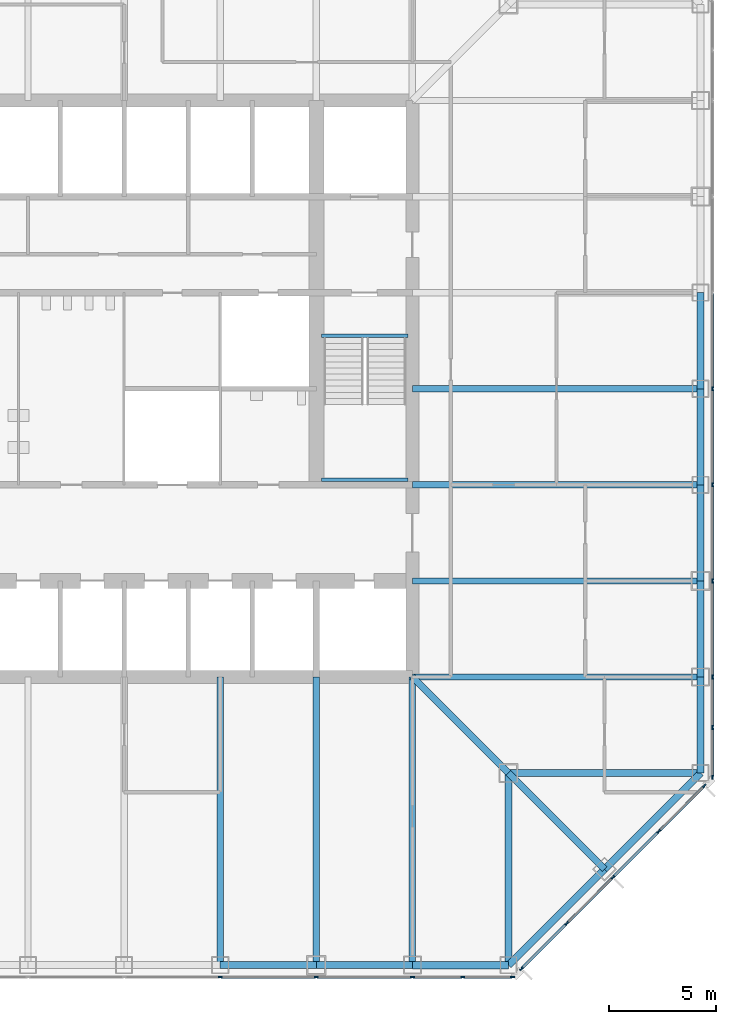
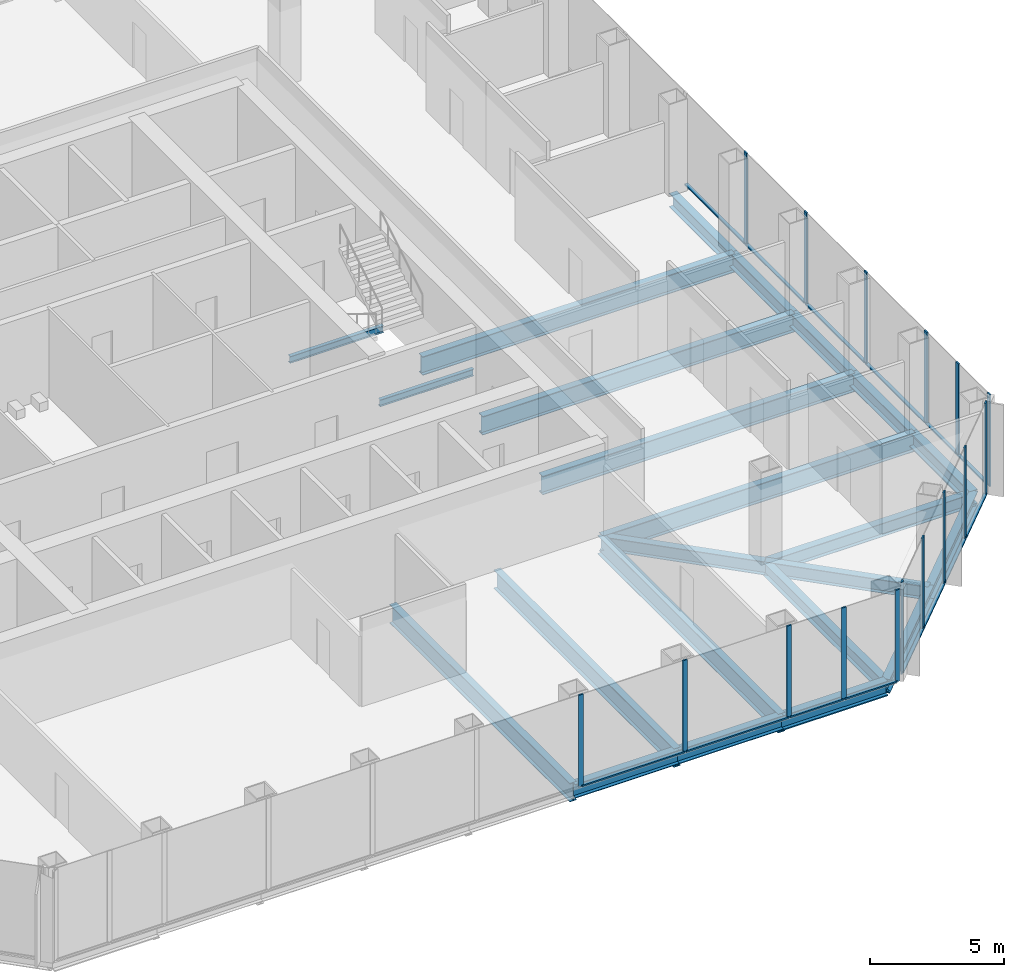
# One storey, part 4 of 12: 30 members, 23 beams, 3 elements without a shape of their own.
"""IFC4 building model written with IfcOpenShell, lengths in metres."""

from ifc_helpers import new_model, si_unit, direction, frame, origin, origin_2d, place, context, subcontext, project, spatial, rectangle, i_section, extrude, material, material_profile, profile_set, type_object, element, aggregate, save


model = new_model("IFC4")

# Units and contexts
model_context = context("Model", 3, precision=1e-05, world=origin(), true_north=direction((0.0, 1.0)))
body_context = subcontext(model_context, "Body", "Model", "MODEL_VIEW")
ifc_project = project(units=[si_unit("LENGTHUNIT", "METRE"), si_unit("AREAUNIT", "SQUARE_METRE"), si_unit("VOLUMEUNIT", "CUBIC_METRE"), si_unit("PLANEANGLEUNIT", "RADIAN"), si_unit("MASSUNIT", "GRAM", prefix="KILO")], contexts=[model_context])

# Site, building, storey
site_placement = place(None, origin())
site = spatial("IfcSite", under=ifc_project, at=site_placement, CompositionType="ELEMENT")
building_placement = place(site_placement, origin())
building = spatial("IfcBuilding", under=site, at=building_placement, Name="Corais Broadcast Tower", CompositionType="ELEMENT")
storey_placement = place(building_placement, frame((0.0, 0.0, 71.0)))
storey = spatial("IfcBuildingStorey", under=building, at=storey_placement, Name="L15", CompositionType="ELEMENT", Elevation=71.0)

# Beams
ifc_material_1 = material(Name="Steel ASTM A572 Grade 50", Category="steel")
ifc_material_profile_1 = material_profile(ifc_material_1, i_section(OverallWidth=0.323974609375, OverallDepth=0.611083984375, WebThickness=0.0126953125, FlangeThickness=0.01904296875, at=origin_2d()), Name="W610x155")
ifc_profile_set_1 = profile_set([ifc_material_profile_1], Name="Steel ASTM A572 Grade 50")
beam_type_1 = type_object("IfcBeamType", Name="Chamfer tie W610x155", PredefinedType="BEAM", material=ifc_profile_set_1)
beam_1_placement = place(storey_placement, frame((49.5, 4.5, -0.465576171875), z_axis=(-0.707106781187, 0.707106781187, 0.0), x_axis=(-0.707106781187, -0.707106781187, 0.0)))
element("IfcBeam", 1, at=beam_1_placement, inside=storey, type_object=beam_type_1, Name="B5 B/14 to C/13", PredefinedType="BEAM", context=body_context, shape_type="SweptSolid", body=[
    extrude(i_section(OverallWidth=0.323974609375, OverallDepth=0.611083984375, WebThickness=0.0126953125, FlangeThickness=0.01904296875, at=origin_2d()), origin(), (0.0, 0.0, 1.0), 6.364013671875),
])
ifc_material_2 = material(Name="Steel ASTM A572 Grade 50", Category="steel")
ifc_material_profile_2 = material_profile(ifc_material_2, i_section(OverallWidth=0.323974609375, OverallDepth=0.611083984375, WebThickness=0.0126953125, FlangeThickness=0.01904296875, at=origin_2d()), Name="W610x155")
ifc_profile_set_2 = profile_set([ifc_material_profile_2], Name="Steel ASTM A572 Grade 50")
beam_type_2 = type_object("IfcBeamType", Name="Corner diagonal W610x155", PredefinedType="BEAM", material=ifc_profile_set_2)
beam_2_placement = place(storey_placement, frame((45.0, 9.0, -0.465576171875), z_axis=(-0.707106781187, 0.707106781187, 0.0), x_axis=(-0.707106781187, -0.707106781187, 0.0)))
element("IfcBeam", 2, at=beam_2_placement, inside=storey, type_object=beam_type_2, Name="B6 C/13 to D/12", PredefinedType="BEAM", context=body_context, shape_type="SweptSolid", body=[
    extrude(i_section(OverallWidth=0.323974609375, OverallDepth=0.611083984375, WebThickness=0.0126953125, FlangeThickness=0.01904296875, at=origin_2d()), origin(), (0.0, 0.0, 1.0), 6.364013671875),
])
ifc_material_3 = material(Name="Steel ASTM A572 Grade 50", Category="steel")
ifc_material_profile_3 = material_profile(ifc_material_3, i_section(OverallWidth=0.323974609375, OverallDepth=0.611083984375, WebThickness=0.0126953125, FlangeThickness=0.01904296875, at=origin_2d()), Name="W610x155")
ifc_profile_set_3 = profile_set([ifc_material_profile_3], Name="Steel ASTM A572 Grade 50")
beam_type_3 = type_object("IfcBeamType", Name="Corner girder W610x155", PredefinedType="BEAM", material=ifc_profile_set_3)
for number, where, z_axis, x_axis, name in (
    (3, (45.0, 0.0, -0.465576171875), (0.0, 1.0, 0.0), (-1.0, 0.0, 0.0), "B4 A/13 to C/13"),
    (4, (54.0, 9.0, -0.465576171875), (-1.0, 0.0, 0.0), (0.0, -1.0, 0.0), "B4 C/15 to C/13"),
):
    element("IfcBeam", number, at=place(storey_placement, frame(where, z_axis=z_axis, x_axis=x_axis)), inside=storey, type_object=beam_type_3, Name=name, PredefinedType="BEAM", context=body_context, shape_type="SweptSolid", body=[
        extrude(i_section(OverallWidth=0.323974609375, OverallDepth=0.611083984375, WebThickness=0.0126953125, FlangeThickness=0.01904296875, at=origin_2d()), origin(), (0.0, 0.0, 1.0), 9.0),
    ])
ifc_material_4 = material(Name="Steel ASTM A572 Grade 50", Category="steel")
ifc_material_profile_4 = material_profile(ifc_material_4, i_section(OverallWidth=0.337890625, OverallDepth=0.677978515625, WebThickness=0.029541015625, FlangeThickness=0.052978515625, at=origin_2d()), Name="W610x415")
ifc_profile_set_4 = profile_set([ifc_material_profile_4], Name="Steel ASTM A572 Grade 50")
beam_type_4 = type_object("IfcBeamType", Name="Corner spandrel W610x415", PredefinedType="BEAM", material=ifc_profile_set_4)
for number, where, z_axis, x_axis, name in (
    (5, (40.5, 0.0, -0.4990234375), (1.0, 0.0, 0.0), (0.0, 1.0, 0.0), "SB10 A/12 to A/13"),
    (6, (54.0, 9.0, -0.4990234375), (0.0, 1.0, 0.0), (-1.0, 0.0, 0.0), "SB10 C/15 to D/15"),
):
    element("IfcBeam", number, at=place(storey_placement, frame(where, z_axis=z_axis, x_axis=x_axis)), inside=storey, type_object=beam_type_4, Name=name, PredefinedType="BEAM", context=body_context, shape_type="SweptSolid", body=[
        extrude(i_section(OverallWidth=0.337890625, OverallDepth=0.677978515625, WebThickness=0.029541015625, FlangeThickness=0.052978515625, at=origin_2d()), origin(), (0.0, 0.0, 1.0), 4.5),
    ])
ifc_material_5 = material(Name="Steel ASTM A572 Grade 50", Category="steel")
ifc_material_profile_5 = material_profile(ifc_material_5, i_section(OverallWidth=0.2939453125, OverallDepth=0.85107421875, WebThickness=0.01611328125, FlangeThickness=0.02685546875, at=origin_2d()), Name="W840x226")
ifc_profile_set_5 = profile_set([ifc_material_profile_5], Name="Steel ASTM A572 Grade 50")
beam_type_5 = type_object("IfcBeamType", Name="Floor beam W840x226", PredefinedType="BEAM", material=ifc_profile_set_5)
for number, where, z_axis, x_axis, name in (
    (7, (31.5, 0.0, -0.58544921875), (0.0, 1.0, 0.0), (-1.0, 0.0, 0.0), "B1 A/10 to D/10"),
    (8, (36.0, 0.0, -0.58544921875), (0.0, 1.0, 0.0), (-1.0, 0.0, 0.0), "B1 A/11 to D/11"),
    (9, (40.5, 0.0, -0.58544921875), (0.0, 1.0, 0.0), (-1.0, 0.0, 0.0), "B1 A/12 to D/12"),
    (10, (54.0, 13.5, -0.58544921875), (-1.0, 0.0, 0.0), (0.0, -1.0, 0.0), "B1 D/15 to D/12"),
    (11, (54.0, 18.0, -0.58544921875), (-1.0, 0.0, 0.0), (0.0, -1.0, 0.0), "B1 E/15 to E/12"),
    (12, (54.0, 22.5, -0.58544921875), (-1.0, 0.0, 0.0), (0.0, -1.0, 0.0), "B1 F/15 to F/12"),
    (13, (54.0, 27.0, -0.58544921875), (-1.0, 0.0, 0.0), (0.0, -1.0, 0.0), "B1 G/15 to G/12"),
):
    element("IfcBeam", number, at=place(storey_placement, frame(where, z_axis=z_axis, x_axis=x_axis)), inside=storey, type_object=beam_type_5, Name=name, PredefinedType="BEAM", context=body_context, shape_type="SweptSolid", body=[
        extrude(i_section(OverallWidth=0.2939453125, OverallDepth=0.85107421875, WebThickness=0.01611328125, FlangeThickness=0.02685546875, at=origin_2d()), origin(), (0.0, 0.0, 1.0), 13.5),
    ])
ifc_material_6 = material(Name="Steel ASTM A572 Grade 50", Category="steel")
ifc_material_profile_6 = material_profile(ifc_material_6, i_section(OverallWidth=0.1650390625, OverallDepth=0.31005859375, WebThickness=0.005859375, FlangeThickness=0.009765625, at=origin_2d()), Name="W310x38.7")
ifc_profile_set_6 = profile_set([ifc_material_profile_6], Name="Steel ASTM A572 Grade 50")
beam_type_6 = type_object("IfcBeamType", Name="Landing trimmer W310x38.7", PredefinedType="BEAM", material=ifc_profile_set_6)
for number, where, z_axis, x_axis, name in (
    (14, (36.25, 29.47509765625, -0.35498046875), (1.0, 0.0, 0.0), (0.0, 1.0, 0.0), "LT1 stair B landing trimmer L15"),
    (15, (36.25, 22.739990234375, 1.7451171875), (1.0, 0.0, 0.0), (0.0, 1.0, 0.0), "LT1 stair B half landing trimmer L15"),
):
    element("IfcBeam", number, at=place(storey_placement, frame(where, z_axis=z_axis, x_axis=x_axis)), inside=storey, type_object=beam_type_6, Name=name, PredefinedType="BEAM", context=body_context, shape_type="SweptSolid", body=[
        extrude(i_section(OverallWidth=0.1650390625, OverallDepth=0.31005859375, WebThickness=0.005859375, FlangeThickness=0.009765625, at=origin_2d()), origin(), (0.0, 0.0, 1.0), 4.050048828125),
    ])

# Curtain wall, members
ifc_material_7 = material(Name="Aluminium and glass", Category="aluminium")
curtain_wall_type = type_object("IfcCurtainWallType", Name="Unitised fritted curtain wall CW1", PredefinedType="NOTDEFINED", material=ifc_material_7)
curtain_wall_1_placement = place(storey_placement, origin())
curtain_wall_1 = element("IfcCurtainWall", 16, at=curtain_wall_1_placement, inside=storey, type_object=curtain_wall_type, Name="CW1 curtain wall L15 6", PredefinedType="NOTDEFINED")
ifc_material_8 = material(Name="Aluminium 6063-T6", Category="aluminium")
ifc_material_profile_7 = material_profile(ifc_material_8, rectangle(XDim=0.06494140625, YDim=0.199951171875, at=origin_2d()), Name="Mullion CW1 65x200")
ifc_profile_set_7 = profile_set([ifc_material_profile_7], Name="Aluminium 6063-T6")
member_type_1 = type_object("IfcMemberType", Name="Mullion CW1 65x200", PredefinedType="MULLION", material=ifc_profile_set_7)
member_1_placement = place(storey_placement, frame((54.550048828125, 27.0, 0.0), z_axis=(0.0, 0.0, 1.0), x_axis=(1.0, 0.0, 0.0)))
member_1 = element("IfcMember", 17, at=member_1_placement, type_object=member_type_1, Name="CW1 mullion 6", PredefinedType="MULLION", context=body_context, shape_type="SweptSolid", body=[
    extrude(rectangle(XDim=0.06494140625, YDim=0.199951171875, at=origin_2d()), origin(), (0.0, 0.0, 1.0), 4.199951171875),
])
member_2_placement = place(storey_placement, frame((54.550048828125, 22.5, 0.0), z_axis=(0.0, 0.0, 1.0), x_axis=(1.0, 0.0, 0.0)))
member_2 = element("IfcMember", 18, at=member_2_placement, type_object=member_type_1, Name="CW1 mullion 7", PredefinedType="MULLION", context=body_context, shape_type="SweptSolid", body=[
    extrude(rectangle(XDim=0.06494140625, YDim=0.199951171875, at=origin_2d()), origin(), (0.0, 0.0, 1.0), 4.199951171875),
])
member_3_placement = place(storey_placement, frame((54.550048828125, 18.0, 0.0), z_axis=(0.0, 0.0, 1.0), x_axis=(1.0, 0.0, 0.0)))
member_3 = element("IfcMember", 19, at=member_3_placement, type_object=member_type_1, Name="CW1 mullion 8", PredefinedType="MULLION", context=body_context, shape_type="SweptSolid", body=[
    extrude(rectangle(XDim=0.06494140625, YDim=0.199951171875, at=origin_2d()), origin(), (0.0, 0.0, 1.0), 4.199951171875),
])
member_4_placement = place(storey_placement, frame((54.550048828125, 13.5, 0.0), z_axis=(0.0, 0.0, 1.0), x_axis=(1.0, 0.0, 0.0)))
member_4 = element("IfcMember", 20, at=member_4_placement, type_object=member_type_1, Name="CW1 mullion 9", PredefinedType="MULLION", context=body_context, shape_type="SweptSolid", body=[
    extrude(rectangle(XDim=0.06494140625, YDim=0.199951171875, at=origin_2d()), origin(), (0.0, 0.0, 1.0), 4.199951171875),
])
member_5_placement = place(storey_placement, frame((54.550048828125, 11.135986328125, 0.0), z_axis=(0.0, 0.0, 1.0), x_axis=(1.0, 0.0, 0.0)))
member_5 = element("IfcMember", 21, at=member_5_placement, type_object=member_type_1, Name="CW1 mullion 10", PredefinedType="MULLION", context=body_context, shape_type="SweptSolid", body=[
    extrude(rectangle(XDim=0.06494140625, YDim=0.199951171875, at=origin_2d()), origin(), (0.0, 0.0, 1.0), 4.199951171875),
])
member_6_placement = place(storey_placement, frame((54.550048828125, 8.8046875, 0.0), z_axis=(0.0, 0.0, 1.0), x_axis=(1.0, 0.0, 0.0)))
member_6 = element("IfcMember", 22, at=member_6_placement, type_object=member_type_1, Name="CW1 mullion 11", PredefinedType="MULLION", context=body_context, shape_type="SweptSolid", body=[
    extrude(rectangle(XDim=0.06494140625, YDim=0.199951171875, at=origin_2d()), origin(), (0.0, 0.0, 1.0), 4.199951171875),
])

curtain_wall_2_placement = place(storey_placement, origin())
curtain_wall_2 = element("IfcCurtainWall", 23, at=curtain_wall_2_placement, inside=storey, type_object=curtain_wall_type, Name="CW1 curtain wall L15 7", PredefinedType="NOTDEFINED")
member_7_placement = place(storey_placement, frame((54.17333984375, 8.3955078125, 0.0), z_axis=(0.0, 0.0, 1.0), x_axis=(0.707106781187, -0.707106781187, 0.0)))
member_7 = element("IfcMember", 24, at=member_7_placement, type_object=member_type_1, Name="CW1 mullion 1", PredefinedType="MULLION", context=body_context, shape_type="SweptSolid", body=[
    extrude(rectangle(XDim=0.06494140625, YDim=0.199951171875, at=origin_2d()), origin(), (0.0, 0.0, 1.0), 4.199951171875),
])
member_8_placement = place(storey_placement, frame((52.042724609375, 6.264892578125, 0.0), z_axis=(0.0, 0.0, 1.0), x_axis=(0.707106781187, -0.707106781187, 0.0)))
member_8 = element("IfcMember", 25, at=member_8_placement, type_object=member_type_1, Name="CW1 mullion 2", PredefinedType="MULLION", context=body_context, shape_type="SweptSolid", body=[
    extrude(rectangle(XDim=0.06494140625, YDim=0.199951171875, at=origin_2d()), origin(), (0.0, 0.0, 1.0), 4.199951171875),
])
member_9_placement = place(storey_placement, frame((49.888916015625, 4.111083984375, 0.0), z_axis=(0.0, 0.0, 1.0), x_axis=(0.707106781187, -0.707106781187, 0.0)))
member_9 = element("IfcMember", 26, at=member_9_placement, type_object=member_type_1, Name="CW1 mullion 3", PredefinedType="MULLION", context=body_context, shape_type="SweptSolid", body=[
    extrude(rectangle(XDim=0.06494140625, YDim=0.199951171875, at=origin_2d()), origin(), (0.0, 0.0, 1.0), 4.199951171875),
])
member_10_placement = place(storey_placement, frame((47.735107421875, 1.957275390625, 0.0), z_axis=(0.0, 0.0, 1.0), x_axis=(0.707106781187, -0.707106781187, 0.0)))
member_10 = element("IfcMember", 27, at=member_10_placement, type_object=member_type_1, Name="CW1 mullion 4", PredefinedType="MULLION", context=body_context, shape_type="SweptSolid", body=[
    extrude(rectangle(XDim=0.06494140625, YDim=0.199951171875, at=origin_2d()), origin(), (0.0, 0.0, 1.0), 4.199951171875),
])
member_11_placement = place(storey_placement, frame((45.6044921875, -0.17333984375, 0.0), z_axis=(0.0, 0.0, 1.0), x_axis=(0.707106781187, -0.707106781187, 0.0)))
member_11 = element("IfcMember", 28, at=member_11_placement, type_object=member_type_1, Name="CW1 mullion 5", PredefinedType="MULLION", context=body_context, shape_type="SweptSolid", body=[
    extrude(rectangle(XDim=0.06494140625, YDim=0.199951171875, at=origin_2d()), origin(), (0.0, 0.0, 1.0), 4.199951171875),
])

curtain_wall_3_placement = place(storey_placement, origin())
curtain_wall_3 = element("IfcCurtainWall", 29, at=curtain_wall_3_placement, inside=storey, type_object=curtain_wall_type, Name="CW1 curtain wall L15 8", PredefinedType="NOTDEFINED")
member_12_placement = place(storey_placement, frame((45.1953125, -0.550048828125, 0.0), z_axis=(0.0, 0.0, 1.0), x_axis=(0.0, -1.0, 0.0)))
member_12 = element("IfcMember", 30, at=member_12_placement, type_object=member_type_1, Name="CW1 mullion 1", PredefinedType="MULLION", context=body_context, shape_type="SweptSolid", body=[
    extrude(rectangle(XDim=0.06494140625, YDim=0.199951171875, at=origin_2d()), origin(), (0.0, 0.0, 1.0), 4.199951171875),
])
member_13_placement = place(storey_placement, frame((42.864013671875, -0.550048828125, 0.0), z_axis=(0.0, 0.0, 1.0), x_axis=(0.0, -1.0, 0.0)))
member_13 = element("IfcMember", 31, at=member_13_placement, type_object=member_type_1, Name="CW1 mullion 2", PredefinedType="MULLION", context=body_context, shape_type="SweptSolid", body=[
    extrude(rectangle(XDim=0.06494140625, YDim=0.199951171875, at=origin_2d()), origin(), (0.0, 0.0, 1.0), 4.199951171875),
])
member_14_placement = place(storey_placement, frame((40.5, -0.550048828125, 0.0), z_axis=(0.0, 0.0, 1.0), x_axis=(0.0, -1.0, 0.0)))
member_14 = element("IfcMember", 32, at=member_14_placement, type_object=member_type_1, Name="CW1 mullion 3", PredefinedType="MULLION", context=body_context, shape_type="SweptSolid", body=[
    extrude(rectangle(XDim=0.06494140625, YDim=0.199951171875, at=origin_2d()), origin(), (0.0, 0.0, 1.0), 4.199951171875),
])
member_15_placement = place(storey_placement, frame((36.0, -0.550048828125, 0.0), z_axis=(0.0, 0.0, 1.0), x_axis=(0.0, -1.0, 0.0)))
member_15 = element("IfcMember", 33, at=member_15_placement, type_object=member_type_1, Name="CW1 mullion 4", PredefinedType="MULLION", context=body_context, shape_type="SweptSolid", body=[
    extrude(rectangle(XDim=0.06494140625, YDim=0.199951171875, at=origin_2d()), origin(), (0.0, 0.0, 1.0), 4.199951171875),
])
member_16_placement = place(storey_placement, frame((31.5, -0.550048828125, 0.0), z_axis=(0.0, 0.0, 1.0), x_axis=(0.0, -1.0, 0.0)))
member_16 = element("IfcMember", 34, at=member_16_placement, type_object=member_type_1, Name="CW1 mullion 5", PredefinedType="MULLION", context=body_context, shape_type="SweptSolid", body=[
    extrude(rectangle(XDim=0.06494140625, YDim=0.199951171875, at=origin_2d()), origin(), (0.0, 0.0, 1.0), 4.199951171875),
])

# Beams
ifc_material_9 = material(Name="Steel ASTM A572 Grade 50", Category="steel")
ifc_material_profile_8 = material_profile(ifc_material_9, i_section(OverallWidth=0.3291015625, OverallDepth=0.635009765625, WebThickness=0.017822265625, FlangeThickness=0.031005859375, at=origin_2d()), Name="W610x241")
ifc_profile_set_8 = profile_set([ifc_material_profile_8], Name="Steel ASTM A572 Grade 50")
beam_type_7 = type_object("IfcBeamType", Name="Spandrel W610x241", PredefinedType="BEAM", material=ifc_profile_set_8)
for number, where, z_axis, x_axis, name in (
    (35, (31.5, 0.0, -0.4775390625), (1.0, 0.0, 0.0), (0.0, 1.0, 0.0), "SB1 A/10 to A/11"),
    (36, (36.0, 0.0, -0.4775390625), (1.0, 0.0, 0.0), (0.0, 1.0, 0.0), "SB1 A/11 to A/12"),
):
    element("IfcBeam", number, at=place(storey_placement, frame(where, z_axis=z_axis, x_axis=x_axis)), inside=storey, type_object=beam_type_7, Name=name, PredefinedType="BEAM", context=body_context, shape_type="SweptSolid", body=[
        extrude(i_section(OverallWidth=0.3291015625, OverallDepth=0.635009765625, WebThickness=0.017822265625, FlangeThickness=0.031005859375, at=origin_2d()), origin(), (0.0, 0.0, 1.0), 4.5),
    ])
for number, where, z_axis, x_axis, name in (
    (37, (45.0, 0.0, -0.4775390625), (0.707106781187, 0.707106781187, 0.0), (-0.707106781187, 0.707106781187, 0.0), "SB1 A/13 to B/14"),
    (38, (49.5, 4.5, -0.4775390625), (0.707106781187, 0.707106781187, 0.0), (-0.707106781187, 0.707106781187, 0.0), "SB1 B/14 to C/15"),
):
    element("IfcBeam", number, at=place(storey_placement, frame(where, z_axis=z_axis, x_axis=x_axis)), inside=storey, type_object=beam_type_7, Name=name, PredefinedType="BEAM", context=body_context, shape_type="SweptSolid", body=[
        extrude(i_section(OverallWidth=0.3291015625, OverallDepth=0.635009765625, WebThickness=0.017822265625, FlangeThickness=0.031005859375, at=origin_2d()), origin(), (0.0, 0.0, 1.0), 6.364013671875),
    ])
for number, where, z_axis, x_axis, name in (
    (39, (54.0, 13.5, -0.4775390625), (0.0, 1.0, 0.0), (-1.0, 0.0, 0.0), "SB1 D/15 to E/15"),
    (40, (54.0, 18.0, -0.4775390625), (0.0, 1.0, 0.0), (-1.0, 0.0, 0.0), "SB1 E/15 to F/15"),
    (41, (54.0, 22.5, -0.4775390625), (0.0, 1.0, 0.0), (-1.0, 0.0, 0.0), "SB1 F/15 to G/15"),
    (42, (54.0, 27.0, -0.4775390625), (0.0, 1.0, 0.0), (-1.0, 0.0, 0.0), "SB1 G/15 to H/15"),
):
    element("IfcBeam", number, at=place(storey_placement, frame(where, z_axis=z_axis, x_axis=x_axis)), inside=storey, type_object=beam_type_7, Name=name, PredefinedType="BEAM", context=body_context, shape_type="SweptSolid", body=[
        extrude(i_section(OverallWidth=0.3291015625, OverallDepth=0.635009765625, WebThickness=0.017822265625, FlangeThickness=0.031005859375, at=origin_2d()), origin(), (0.0, 0.0, 1.0), 4.5),
    ])

# Member
ifc_material_10 = material(Name="Aluminium 6063-T6", Category="aluminium")
ifc_material_profile_9 = material_profile(ifc_material_10, rectangle(XDim=0.139892578125, YDim=0.06494140625, at=origin_2d()), Name="Transom CW1 65x140")
ifc_profile_set_9 = profile_set([ifc_material_profile_9], Name="Aluminium 6063-T6")
member_type_2 = type_object("IfcMemberType", Name="Transom CW1 65x140", PredefinedType="USERDEFINED", material=ifc_profile_set_9)
member_17_placement = place(storey_placement, frame((54.550048828125, 31.467529296875, 0.032470703125), z_axis=(0.0, -1.0, 0.0), x_axis=(1.0, 0.0, 0.0)))
member_17 = element("IfcMember", 43, at=member_17_placement, type_object=member_type_2, Name="CW1 transom 5.1", ObjectType="TRANSOM", PredefinedType="USERDEFINED", context=body_context, shape_type="SweptSolid", body=[
    extrude(rectangle(XDim=0.139892578125, YDim=0.06494140625, at=origin_2d()), origin(), (0.0, 0.0, 1.0), 4.43505859375),
])

member_18_placement = place(storey_placement, frame((54.550048828125, 26.967529296875, 0.032470703125), z_axis=(0.0, -1.0, 0.0), x_axis=(1.0, 0.0, 0.0)))
member_18 = element("IfcMember", 44, at=member_18_placement, type_object=member_type_2, Name="CW1 transom 6.1", ObjectType="TRANSOM", PredefinedType="USERDEFINED", context=body_context, shape_type="SweptSolid", body=[
    extrude(rectangle(XDim=0.139892578125, YDim=0.06494140625, at=origin_2d()), origin(), (0.0, 0.0, 1.0), 4.43505859375),
])

member_19_placement = place(storey_placement, frame((54.550048828125, 22.467529296875, 0.032470703125), z_axis=(0.0, -1.0, 0.0), x_axis=(1.0, 0.0, 0.0)))
member_19 = element("IfcMember", 45, at=member_19_placement, type_object=member_type_2, Name="CW1 transom 7.1", ObjectType="TRANSOM", PredefinedType="USERDEFINED", context=body_context, shape_type="SweptSolid", body=[
    extrude(rectangle(XDim=0.139892578125, YDim=0.06494140625, at=origin_2d()), origin(), (0.0, 0.0, 1.0), 4.43505859375),
])

member_20_placement = place(storey_placement, frame((54.550048828125, 17.967529296875, 0.032470703125), z_axis=(0.0, -1.0, 0.0), x_axis=(1.0, 0.0, 0.0)))
member_20 = element("IfcMember", 46, at=member_20_placement, type_object=member_type_2, Name="CW1 transom 8.1", ObjectType="TRANSOM", PredefinedType="USERDEFINED", context=body_context, shape_type="SweptSolid", body=[
    extrude(rectangle(XDim=0.139892578125, YDim=0.06494140625, at=origin_2d()), origin(), (0.0, 0.0, 1.0), 4.43505859375),
])

member_21_placement = place(storey_placement, frame((54.550048828125, 13.467529296875, 0.032470703125), z_axis=(0.0, -1.0, 0.0), x_axis=(1.0, 0.0, 0.0)))
member_21 = element("IfcMember", 47, at=member_21_placement, type_object=member_type_2, Name="CW1 transom 9.1", ObjectType="TRANSOM", PredefinedType="USERDEFINED", context=body_context, shape_type="SweptSolid", body=[
    extrude(rectangle(XDim=0.139892578125, YDim=0.06494140625, at=origin_2d()), origin(), (0.0, 0.0, 1.0), 2.298828125),
])

member_22_placement = place(storey_placement, frame((54.550048828125, 11.103515625, 0.032470703125), z_axis=(0.0, -1.0, 0.0), x_axis=(1.0, 0.0, 0.0)))
member_22 = element("IfcMember", 48, at=member_22_placement, type_object=member_type_2, Name="CW1 transom 10.1", ObjectType="TRANSOM", PredefinedType="USERDEFINED", context=body_context, shape_type="SweptSolid", body=[
    extrude(rectangle(XDim=0.139892578125, YDim=0.06494140625, at=origin_2d()), origin(), (0.0, 0.0, 1.0), 2.266357421875),
])

aggregate(curtain_wall_1, [member_1, member_2, member_3, member_4, member_5, member_6, member_17, member_18, member_19, member_20, member_21, member_22])

member_23_placement = place(storey_placement, frame((54.150390625, 8.37255859375, 0.032470703125), z_axis=(-0.707106781187, -0.707106781187, 0.0), x_axis=(0.707106781187, -0.707106781187, 0.0)))
member_23 = element("IfcMember", 49, at=member_23_placement, type_object=member_type_2, Name="CW1 transom 1.1", ObjectType="TRANSOM", PredefinedType="USERDEFINED", context=body_context, shape_type="SweptSolid", body=[
    extrude(rectangle(XDim=0.139892578125, YDim=0.06494140625, at=origin_2d()), origin(), (0.0, 0.0, 1.0), 2.9482421875),
])

member_24_placement = place(storey_placement, frame((52.019775390625, 6.241943359375, 0.032470703125), z_axis=(-0.707106781187, -0.707106781187, 0.0), x_axis=(0.707106781187, -0.707106781187, 0.0)))
member_24 = element("IfcMember", 50, at=member_24_placement, type_object=member_type_2, Name="CW1 transom 2.1", ObjectType="TRANSOM", PredefinedType="USERDEFINED", context=body_context, shape_type="SweptSolid", body=[
    extrude(rectangle(XDim=0.139892578125, YDim=0.06494140625, at=origin_2d()), origin(), (0.0, 0.0, 1.0), 2.98095703125),
])

member_25_placement = place(storey_placement, frame((49.865966796875, 4.088134765625, 0.032470703125), z_axis=(-0.707106781187, -0.707106781187, 0.0), x_axis=(0.707106781187, -0.707106781187, 0.0)))
member_25 = element("IfcMember", 51, at=member_25_placement, type_object=member_type_2, Name="CW1 transom 3.1", ObjectType="TRANSOM", PredefinedType="USERDEFINED", context=body_context, shape_type="SweptSolid", body=[
    extrude(rectangle(XDim=0.139892578125, YDim=0.06494140625, at=origin_2d()), origin(), (0.0, 0.0, 1.0), 2.98095703125),
])

member_26_placement = place(storey_placement, frame((47.712158203125, 1.934326171875, 0.032470703125), z_axis=(-0.707106781187, -0.707106781187, 0.0), x_axis=(0.707106781187, -0.707106781187, 0.0)))
member_26 = element("IfcMember", 52, at=member_26_placement, type_object=member_type_2, Name="CW1 transom 4.1", ObjectType="TRANSOM", PredefinedType="USERDEFINED", context=body_context, shape_type="SweptSolid", body=[
    extrude(rectangle(XDim=0.139892578125, YDim=0.06494140625, at=origin_2d()), origin(), (0.0, 0.0, 1.0), 2.9482421875),
])

aggregate(curtain_wall_2, [member_7, member_8, member_9, member_10, member_11, member_23, member_24, member_25, member_26])

member_27_placement = place(storey_placement, frame((45.162841796875, -0.550048828125, 0.032470703125), z_axis=(-1.0, 0.0, 0.0), x_axis=(0.0, -1.0, 0.0)))
member_27 = element("IfcMember", 53, at=member_27_placement, type_object=member_type_2, Name="CW1 transom 1.1", ObjectType="TRANSOM", PredefinedType="USERDEFINED", context=body_context, shape_type="SweptSolid", body=[
    extrude(rectangle(XDim=0.139892578125, YDim=0.06494140625, at=origin_2d()), origin(), (0.0, 0.0, 1.0), 2.266357421875),
])

member_28_placement = place(storey_placement, frame((42.831298828125, -0.550048828125, 0.032470703125), z_axis=(-1.0, 0.0, 0.0), x_axis=(0.0, -1.0, 0.0)))
member_28 = element("IfcMember", 54, at=member_28_placement, type_object=member_type_2, Name="CW1 transom 2.1", ObjectType="TRANSOM", PredefinedType="USERDEFINED", context=body_context, shape_type="SweptSolid", body=[
    extrude(rectangle(XDim=0.139892578125, YDim=0.06494140625, at=origin_2d()), origin(), (0.0, 0.0, 1.0), 2.298828125),
])

member_29_placement = place(storey_placement, frame((40.467529296875, -0.550048828125, 0.032470703125), z_axis=(-1.0, 0.0, 0.0), x_axis=(0.0, -1.0, 0.0)))
member_29 = element("IfcMember", 55, at=member_29_placement, type_object=member_type_2, Name="CW1 transom 3.1", ObjectType="TRANSOM", PredefinedType="USERDEFINED", context=body_context, shape_type="SweptSolid", body=[
    extrude(rectangle(XDim=0.139892578125, YDim=0.06494140625, at=origin_2d()), origin(), (0.0, 0.0, 1.0), 4.43505859375),
])

member_30_placement = place(storey_placement, frame((35.967529296875, -0.550048828125, 0.032470703125), z_axis=(-1.0, 0.0, 0.0), x_axis=(0.0, -1.0, 0.0)))
member_30 = element("IfcMember", 56, at=member_30_placement, type_object=member_type_2, Name="CW1 transom 4.1", ObjectType="TRANSOM", PredefinedType="USERDEFINED", context=body_context, shape_type="SweptSolid", body=[
    extrude(rectangle(XDim=0.139892578125, YDim=0.06494140625, at=origin_2d()), origin(), (0.0, 0.0, 1.0), 4.43505859375),
])

aggregate(curtain_wall_3, [member_12, member_13, member_14, member_15, member_16, member_27, member_28, member_29, member_30])

save(model, "model.ifc")
